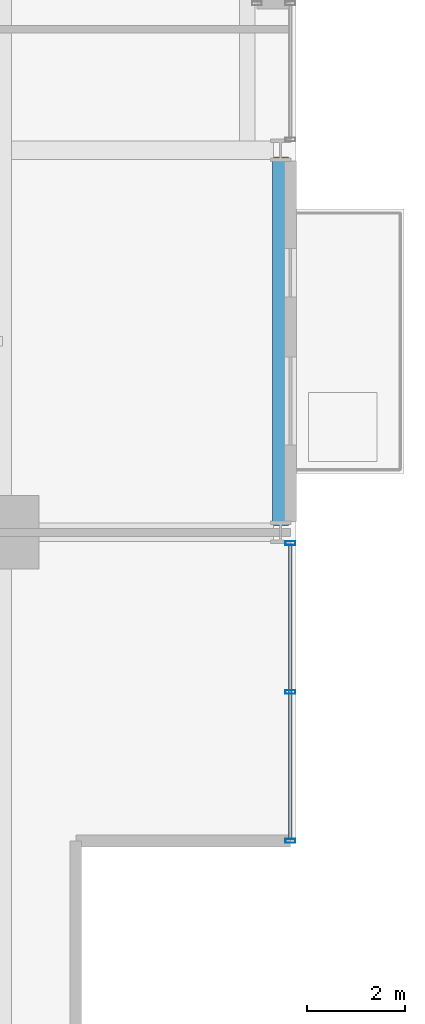
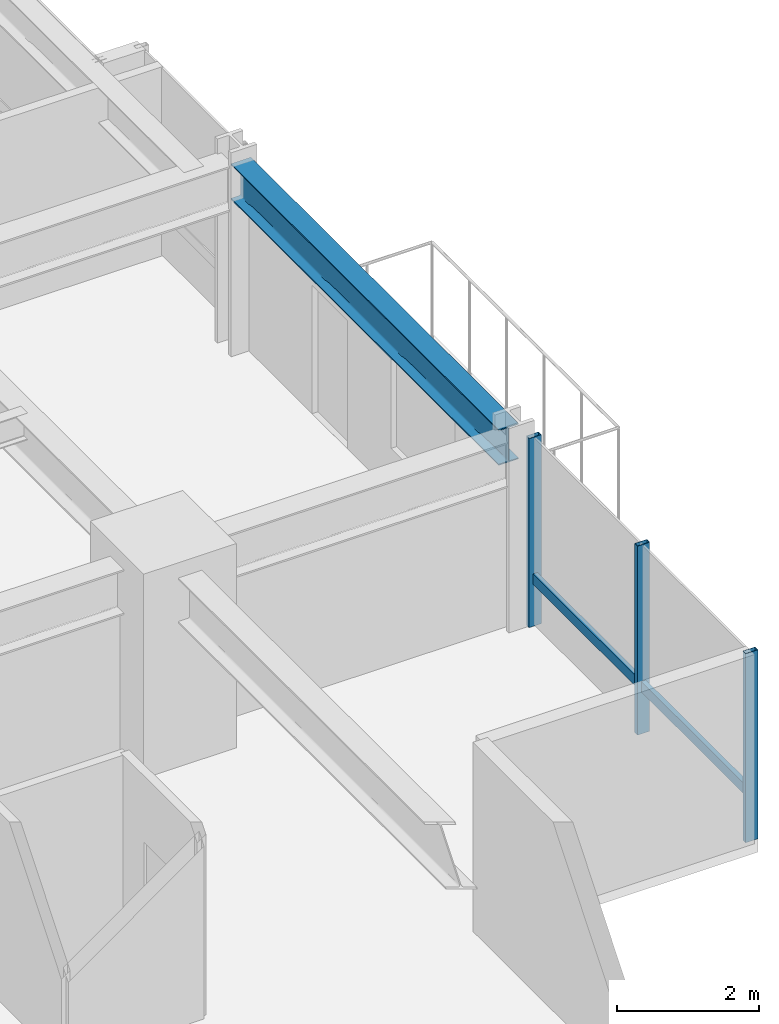
# One storey, part 13 of 34: 4 members, 1 beam, 1 element without a shape of its own.
"""IFC4 building model written with IfcOpenShell, lengths in metres."""

from ifc_helpers import new_model, si_unit, direction, frame, origin, origin_2d, place, context, subcontext, project, spatial, hollow_rectangle, i_section, extrude, material, layer, layer_set, material_profile, profile_set, type_object, element, aggregate, save


model = new_model("IFC4")

# Units and contexts
model_context = context("Model", 3, precision=1e-05, world=origin(), true_north=direction((0.0, 1.0)))
body_context = subcontext(model_context, "Body", "Model", "MODEL_VIEW")
ifc_project = project(units=[si_unit("LENGTHUNIT", "METRE"), si_unit("AREAUNIT", "SQUARE_METRE"), si_unit("VOLUMEUNIT", "CUBIC_METRE"), si_unit("PLANEANGLEUNIT", "RADIAN"), si_unit("MASSUNIT", "GRAM", prefix="KILO")], contexts=[model_context])

# Site, building, storey
site_placement = place(None, origin())
site = spatial("IfcSite", under=ifc_project, at=site_placement, CompositionType="ELEMENT")
building_placement = place(site_placement, origin())
building = spatial("IfcBuilding", under=site, at=building_placement, Name="Drelvath Grand Hotel", CompositionType="ELEMENT")
storey_placement = place(building_placement, frame((0.0, 0.0, 112.800048828125)))
storey = spatial("IfcBuildingStorey", under=building, at=storey_placement, Name="L28", CompositionType="ELEMENT", Elevation=112.800048828125)

# Curtain wall, members
ifc_material_1 = material(Name="Champagne Bronze Anodised Aluminium Frame", Category="aluminium")
ifc_layer = layer(ifc_material_1, 0.199951171875)
ifc_layer_set = layer_set([ifc_layer], Name="Champagne Bronze Anodised Aluminium Frame")
curtain_wall_type = type_object("IfcCurtainWallType", Name="Stick Curtain Wall CW-03 Champagne Bronze Mid-Rise", PredefinedType="NOTDEFINED", material=ifc_layer_set)
curtain_wall_placement = place(storey_placement, origin())
curtain_wall = element("IfcCurtainWall", 1, at=curtain_wall_placement, inside=storey, type_object=curtain_wall_type, Name="L28 CW-03 Curtain Wall CW03-L28-ES1", PredefinedType="NOTDEFINED")
ifc_material_profile_1 = material_profile(ifc_material_1, hollow_rectangle(XDim=0.074951171875, YDim=0.179931640625, WallThickness=0.0048828125, at=origin_2d()), Name="HSS180X75X5")
ifc_profile_set_1 = profile_set([ifc_material_profile_1], Name="Champagne Bronze Anodised Aluminium Frame")
member_type_1 = type_object("IfcMemberType", Name="Curtain Wall Horizontal Transom CW-03 HSS180X75X5", PredefinedType="USERDEFINED", material=ifc_profile_set_1)
member_1_placement = place(storey_placement, frame((22.080078125, 10.540283203125, 0.81005859375), z_axis=(0.0, -1.0, 0.0), x_axis=(1.0, 0.0, 0.0)))
member_1 = element("IfcMember", 2, at=member_1_placement, type_object=member_type_1, Name="CW03-L28-ES1 Sill Transom", ObjectType="TRANSOM", PredefinedType="USERDEFINED", context=body_context, shape_type="SweptSolid", body=[
    extrude(hollow_rectangle(XDim=0.074951171875, YDim=0.179931640625, WallThickness=0.0048828125, at=origin_2d()), origin(), (0.0, 0.0, 1.0), 6.000244140625),
])
ifc_material_profile_2 = material_profile(ifc_material_1, hollow_rectangle(XDim=0.080078125, YDim=0.199951171875, WallThickness=0.0048828125, at=origin_2d()), Name="HSS200X80X5")
ifc_profile_set_2 = profile_set([ifc_material_profile_2], Name="Champagne Bronze Anodised Aluminium Frame")
member_type_2 = type_object("IfcMemberType", Name="Curtain Wall Vertical Mullion CW-03 HSS200X80X5", PredefinedType="MULLION", material=ifc_profile_set_2)
member_2_placement = place(storey_placement, frame((22.080078125, 10.580322265625, 0.0), z_axis=(0.0, 0.0, 1.0), x_axis=(0.0, 1.0, 0.0)))
member_2 = element("IfcMember", 3, at=member_2_placement, type_object=member_type_2, Name="CW03-L28-ES1 Mullion 1", PredefinedType="MULLION", context=body_context, shape_type="SweptSolid", body=[
    extrude(hollow_rectangle(XDim=0.080078125, YDim=0.199951171875, WallThickness=0.0048828125, at=origin_2d()), origin(), (0.0, 0.0, 1.0), 3.239990234375),
])
member_3_placement = place(storey_placement, frame((22.080078125, 7.540283203125, 0.0), z_axis=(0.0, 0.0, 1.0), x_axis=(0.0, 1.0, 0.0)))
member_3 = element("IfcMember", 4, at=member_3_placement, type_object=member_type_2, Name="CW03-L28-ES1 Mullion 2", PredefinedType="MULLION", context=body_context, shape_type="SweptSolid", body=[
    extrude(hollow_rectangle(XDim=0.080078125, YDim=0.199951171875, WallThickness=0.0048828125, at=origin_2d()), origin(), (0.0, 0.0, 1.0), 3.239990234375),
])
member_4_placement = place(storey_placement, frame((22.080078125, 4.5, 0.0), z_axis=(0.0, 0.0, 1.0), x_axis=(0.0, 1.0, 0.0)))
member_4 = element("IfcMember", 5, at=member_4_placement, type_object=member_type_2, Name="CW03-L28-ES1 Mullion 3", PredefinedType="MULLION", context=body_context, shape_type="SweptSolid", body=[
    extrude(hollow_rectangle(XDim=0.080078125, YDim=0.199951171875, WallThickness=0.0048828125, at=origin_2d()), origin(), (0.0, 0.0, 1.0), 3.239990234375),
])
aggregate(curtain_wall, [member_2, member_3, member_4, member_1])

# Beam
ifc_material_2 = material(Name="Steel ASTM A992 Gr 50", Category="steel")
ifc_material_profile_3 = material_profile(ifc_material_2, i_section(OverallWidth=0.323974609375, OverallDepth=0.611083984375, WebThickness=0.0126953125, FlangeThickness=0.01904296875, FilletRadius=0.02197265625, at=origin_2d()), Name="W24X104")
ifc_profile_set_3 = profile_set([ifc_material_profile_3], Name="Steel ASTM A992 Gr 50")
beam_type = type_object("IfcBeamType", Name="Perimeter Spandrel Beam W24X104", PredefinedType="SPANDREL", material=ifc_profile_set_3)
beam_placement = place(storey_placement, frame((21.8798828125, 10.93994140625, 2.9345703125), z_axis=(0.0, 1.0, 0.0), x_axis=(-1.0, 0.0, 0.0)))
element("IfcBeam", 6, at=beam_placement, inside=storey, type_object=beam_type, Name="L28 Spandrel East S", PredefinedType="SPANDREL", context=body_context, shape_type="SweptSolid", body=[
    extrude(i_section(OverallWidth=0.323974609375, OverallDepth=0.611083984375, WebThickness=0.0126953125, FlangeThickness=0.01904296875, FilletRadius=0.02197265625, at=origin_2d()), origin(), (0.0, 0.0, 1.0), 7.52001953125),
])

save(model, "model.ifc")
